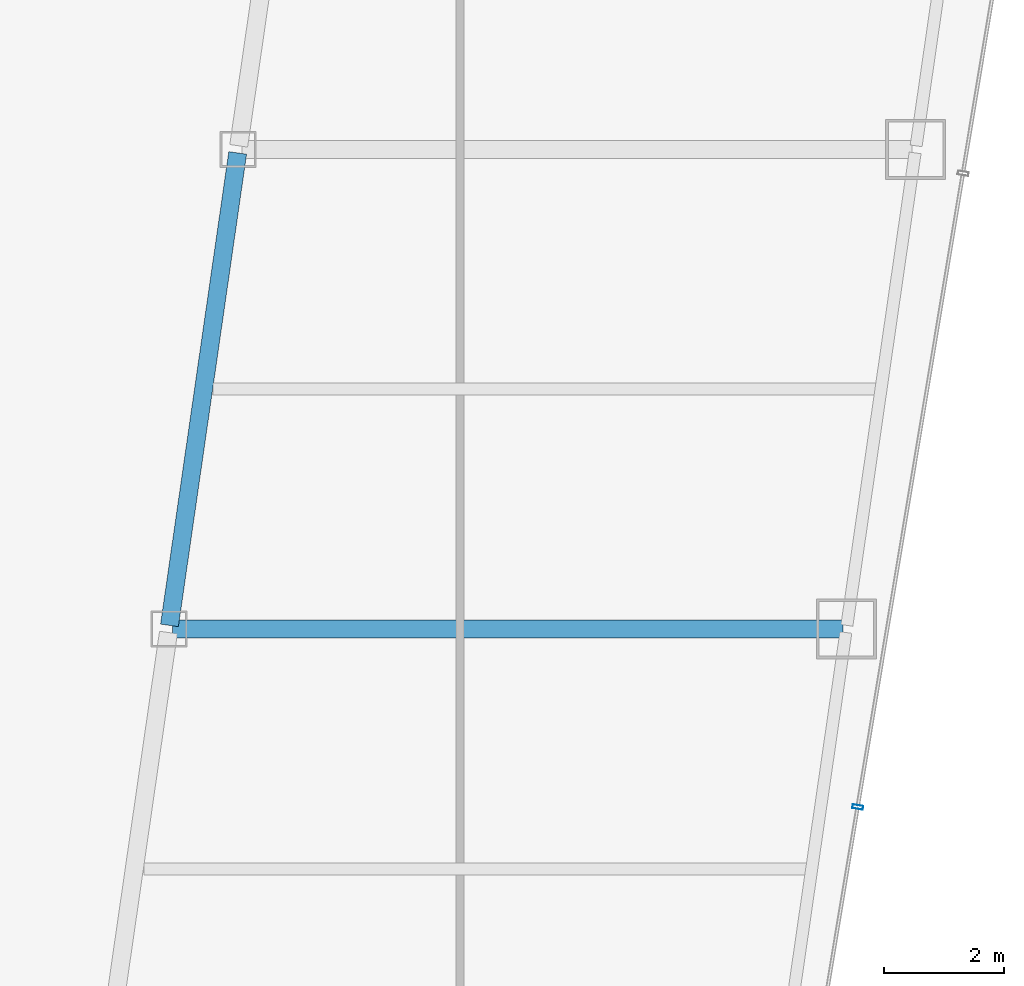
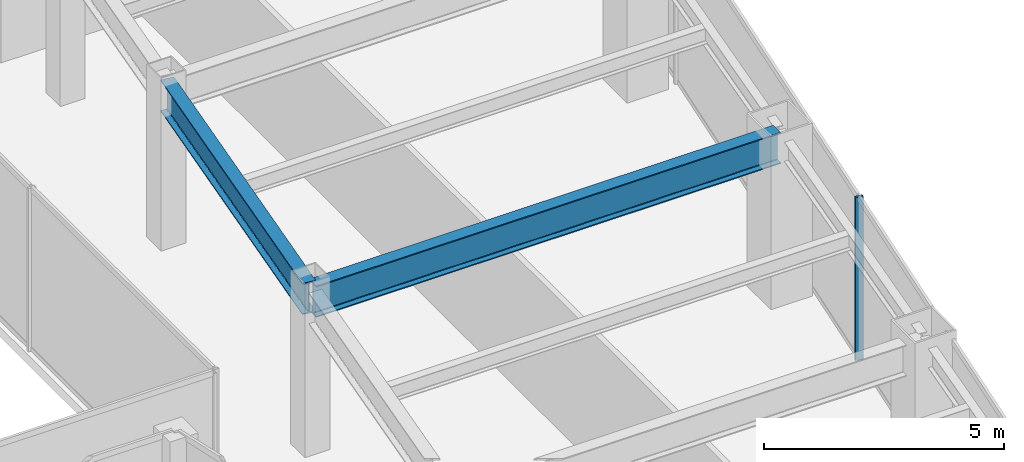
# One storey, part 17 of 37: 2 beams, 1 member, 1 element without a shape of its own.
"""IFC4 building model written with IfcOpenShell, lengths in metres."""

import ifcopenshell
import ifcopenshell.guid

model = None  # the IFC model being written
_history = None  # IfcOwnerHistory: only IFC2X3 demands one
_inside = {}  # id of a spatial element -> (the spatial element, [elements in it])
_under = {}  # id of a project, library or spatial element -> (it, [spatial elements below it])
_declared = {}  # id of a project -> (the project, [libraries it declares])
_typed = {}  # id of a type object -> (the type object, [elements of that type])
_made_of = {}  # id of a material, layer set ... -> (it, [elements and type objects made of it])


def new_model(schema):
    """Start an empty IFC model of exactly this schema.

    Asked for "IFC4X3", IfcOpenShell would pick the latest addendum, in which some entities
    have other attributes; the version numbers below select the first issue.
    IFC2X3 requires an IfcOwnerHistory on every rooted entity: one is made here for all.
    """
    global model, _history
    if schema == "IFC4X3":
        model = ifcopenshell.file(schema_version=(4, 3, 0, 0))
    else:
        model = ifcopenshell.file(schema=schema)
    _inside.clear()
    _under.clear()
    _declared.clear()
    _typed.clear()
    _made_of.clear()
    _history = None
    if model.schema == "IFC2X3":
        org = make("IfcOrganization", Name="unknown")
        user = make(
            "IfcPersonAndOrganization",
            ThePerson=make("IfcPerson", FamilyName="unknown"),
            TheOrganization=org,
        )
        app = make(
            "IfcApplication",
            ApplicationDeveloper=org,
            Version="unknown",
            ApplicationFullName="unknown",
            ApplicationIdentifier="unknown",
        )
        _history = make(
            "IfcOwnerHistory",
            OwningUser=user,
            OwningApplication=app,
            ChangeAction="ADDED",
            CreationDate=0,
        )
    return model


def make(cls, **values):
    """One entity of the class cls with the attributes given. An attribute that is None is left unset."""
    return model.create_entity(
        cls, **{name: value for name, value in values.items() if value is not None}
    )


def rooted(cls, **values):
    """An entity with a GlobalId (a new one), such as an element, a storey or a relation."""
    return make(cls, GlobalId=ifcopenshell.guid.new(), OwnerHistory=_history, **values)


def si_unit(unit_type, name, prefix=None):
    """IfcSIUnit, for example si_unit("LENGTHUNIT", "METRE", prefix="MILLI")."""
    return make("IfcSIUnit", UnitType=unit_type, Prefix=prefix, Name=name)


def assignment(units):
    """IfcUnitAssignment: the units of a project."""
    return None if units is None else make("IfcUnitAssignment", Units=units)


def point(xyz):
    """IfcCartesianPoint."""
    return None if xyz is None else make("IfcCartesianPoint", Coordinates=xyz)


def direction(xyz):
    """IfcDirection."""
    return None if xyz is None else make("IfcDirection", DirectionRatios=xyz)


def frame(location, z_axis=None, x_axis=None):
    """IfcAxis2Placement3D, a coordinate frame: its origin and axes. An axis left out is left unset."""
    return make(
        "IfcAxis2Placement3D",
        Location=point(location),
        Axis=direction(z_axis),
        RefDirection=direction(x_axis),
    )


def frame_2d(location, x_axis=None):
    """IfcAxis2Placement2D, a coordinate frame in the plane: its origin and x axis."""
    return make(
        "IfcAxis2Placement2D", Location=point(location), RefDirection=direction(x_axis)
    )


def origin():
    """The frame at (0, 0, 0) with its axes left unset."""
    return frame((0.0, 0.0, 0.0))


def origin_2d():
    """The frame at (0, 0) in the plane with its x axis left unset."""
    return frame_2d((0.0, 0.0))


def place(relative_to, where):
    """IfcLocalPlacement: puts the frame where relative to a parent placement (None: the world)."""
    return make(
        "IfcLocalPlacement", PlacementRelTo=relative_to, RelativePlacement=where
    )


def context(
    kind, dimensions, precision=None, world=None, true_north=None, identifier=None
):
    """IfcGeometricRepresentationContext, for example the 3D "Model" context."""
    return make(
        "IfcGeometricRepresentationContext",
        ContextIdentifier=identifier,
        ContextType=kind,
        CoordinateSpaceDimension=dimensions,
        Precision=precision,
        WorldCoordinateSystem=world,
        TrueNorth=true_north,
    )


def subcontext(parent, identifier, kind, view, scale=None):
    """IfcGeometricRepresentationSubContext, for example "Body" below "Model"."""
    return make(
        "IfcGeometricRepresentationSubContext",
        ContextIdentifier=identifier,
        ContextType=kind,
        ParentContext=parent,
        TargetScale=scale,
        TargetView=view,
    )


def project(units=None, contexts=None):
    """IfcProject with its units and contexts."""
    return rooted(
        "IfcProject",
        Name="project",
        RepresentationContexts=contexts,
        UnitsInContext=assignment(units),
    )


def spatial(cls, under=None, at=None, **own):
    """A site, building, storey or space (cls), placed at a placement, below another one or the project."""
    s = rooted(cls, ObjectPlacement=at, **own)
    if under is not None:
        _under.setdefault(under.id(), (under, []))[1].append(s)
    return s


def profile(cls, at=None, kind="AREA", **sizes):
    """A parametric profile (cls). Its sizes go by their IFC names, for example OverallWidth=200.0."""
    return make(cls, ProfileType=kind, Position=at, **sizes)


def hollow_rectangle(**sizes):
    """IfcRectangleHollowProfileDef."""
    return profile("IfcRectangleHollowProfileDef", **sizes)


def i_section(**sizes):
    """IfcIShapeProfileDef."""
    return profile("IfcIShapeProfileDef", **sizes)


def extrude(swept, where, along, depth):
    """IfcExtrudedAreaSolid: the profile swept, set in the frame where, extruded along a direction by depth."""
    return make(
        "IfcExtrudedAreaSolid",
        SweptArea=swept,
        Position=where,
        ExtrudedDirection=direction(along),
        Depth=depth,
    )


def shape(context_of_items, identifier, shape_type, items):
    """IfcShapeRepresentation: the items that make up one representation, for example the "Body"."""
    return make(
        "IfcShapeRepresentation",
        ContextOfItems=context_of_items,
        RepresentationIdentifier=identifier,
        RepresentationType=shape_type,
        Items=items,
    )


def material(Name=None, Category=None):
    """IfcMaterial."""
    return make("IfcMaterial", Name=Name, Category=Category)


def material_profile(
    of_material, cross_section, Name=None, Category=None, Priority=None
):
    """IfcMaterialProfile: a cross section and its material."""
    return make(
        "IfcMaterialProfile",
        Name=Name,
        Material=of_material,
        Profile=cross_section,
        Priority=Priority,
        Category=Category,
    )


def profile_set(profiles, Name=None, composite=None):
    """IfcMaterialProfileSet."""
    return make(
        "IfcMaterialProfileSet",
        Name=Name,
        MaterialProfiles=profiles,
        CompositeProfile=composite,
    )


def made_of(thing, what):
    """Note that an element or type object is made of a material, layer set ...; save() writes the relation."""
    if what is not None:
        _made_of.setdefault(what.id(), (what, []))[1].append(thing)
    return thing


def type_object(cls, material=None, **own):
    """A type object (cls), such as IfcWallType, which elements share."""
    return made_of(rooted(cls, **own), material)


def element(
    cls,
    number,
    at=None,
    inside=None,
    cuts=None,
    type_object=None,
    material=None,
    context=None,
    identifier="Body",
    shape_type=None,
    held_by="IfcProductDefinitionShape",
    body=None,
    shapes=None,
    **own,
):
    """One element of the class cls, such as IfcWall. Its Tag is "e" and its number.

    at: its placement. inside: the storey or other place that contains it. cuts: it is an
    opening in that element (IfcRelVoidsElement). A single representation is given by context,
    identifier, shape_type and body (its items); several are given by shapes. held_by: the class
    of the entity that holds the representations. save() writes the other relations.
    """
    e = rooted(cls, Tag="e%d" % number, ObjectPlacement=at, **own)
    if body is not None:
        shapes = [shape(context, identifier, shape_type, body)]
    if shapes is not None:
        e.Representation = make(held_by, Representations=shapes)
    if inside is not None:
        _inside.setdefault(inside.id(), (inside, []))[1].append(e)
    if cuts is not None:
        rooted(
            "IfcRelVoidsElement", RelatingBuildingElement=cuts, RelatedOpeningElement=e
        )
    if type_object is not None:
        _typed.setdefault(type_object.id(), (type_object, []))[1].append(e)
    return made_of(e, material)


def aggregate(whole, parts):
    """IfcRelAggregates: a whole, such as a stair, and the parts it consists of."""
    return rooted("IfcRelAggregates", RelatingObject=whole, RelatedObjects=parts)


def save(model, path):
    """Write the relations noted so far, then the file.

    IfcRelAggregates (storeys below a building ...), IfcRelContainedInSpatialStructure (elements
    in a storey), IfcRelDefinesByType, IfcRelAssociatesMaterial and IfcRelDeclares: one each for
    every whole, place, type object, material and project.
    """
    for whole, parts in _under.values():
        aggregate(whole, parts)
    for where, things in _inside.values():
        rooted(
            "IfcRelContainedInSpatialStructure",
            RelatedElements=things,
            RelatingStructure=where,
        )
    for kind, things in _typed.values():
        rooted("IfcRelDefinesByType", RelatedObjects=things, RelatingType=kind)
    for what, things in _made_of.values():
        rooted("IfcRelAssociatesMaterial", RelatedObjects=things, RelatingMaterial=what)
    for by, libraries in _declared.values():
        rooted("IfcRelDeclares", RelatingContext=by, RelatedDefinitions=libraries)
    model.write(path)


model = new_model("IFC4")

# Units and contexts
model_context = context("Model", 3, precision=1e-05, world=origin(), true_north=direction((0.0, 1.0)))
body_context = subcontext(model_context, "Body", "Model", "MODEL_VIEW")
ifc_project = project(units=[si_unit("LENGTHUNIT", "METRE"), si_unit("AREAUNIT", "SQUARE_METRE"), si_unit("VOLUMEUNIT", "CUBIC_METRE"), si_unit("PLANEANGLEUNIT", "RADIAN"), si_unit("MASSUNIT", "GRAM", prefix="KILO")], contexts=[model_context])

# Site, building, storey
site_placement = place(None, origin())
site = spatial("IfcSite", under=ifc_project, at=site_placement, CompositionType="ELEMENT")
building_placement = place(site_placement, origin())
building = spatial("IfcBuilding", under=site, at=building_placement, Name="Saevonmaru Cultural Tower", CompositionType="ELEMENT")
storey_placement = place(building_placement, frame((0.0, 0.0, 110.39990234375)))
storey = spatial("IfcBuildingStorey", under=building, at=storey_placement, Name="L23", CompositionType="ELEMENT", Elevation=110.39990234375)

# Beams
ifc_material_1 = material(Name="Steel SM420", Category="steel")
ifc_material_profile_1 = material_profile(ifc_material_1, i_section(OverallWidth=0.300048828125, OverallDepth=0.800048828125, WebThickness=0.013916015625, FlangeThickness=0.02587890625, FilletRadius=0.028076171875, at=origin_2d()), Name="H-800x300x14x26")
ifc_profile_set_1 = profile_set([ifc_material_profile_1], Name="Steel SM420")
beam_type = type_object("IfcBeamType", Name="BM-G-H800", PredefinedType="BEAM", material=ifc_profile_set_1)
beam_1_placement = place(storey_placement, frame((39.236572265625, 24.059326171875, 3.75), z_axis=(0.142902032203, 0.989736838353, 0.0), x_axis=(-0.989736838353, 0.142902032203, 0.0)))
element("IfcBeam", 1, at=beam_1_placement, inside=storey, type_object=beam_type, Name="L23 East Atrium Girder 3", PredefinedType="BEAM", context=body_context, shape_type="SweptSolid", body=[
    extrude(i_section(OverallWidth=0.300048828125, OverallDepth=0.800048828125, WebThickness=0.013916015625, FlangeThickness=0.02587890625, FilletRadius=0.028076171875, at=origin_2d()), origin(), (0.0, 0.0, 1.0), 7.963134765625),
])
beam_2_placement = place(storey_placement, frame((39.2880859375, 24.0, 3.75), z_axis=(1.0, 0.0, 0.0), x_axis=(0.0, 1.0, 0.0)))
element("IfcBeam", 2, at=beam_2_placement, inside=storey, type_object=beam_type, Name="L23 East Wing Transverse Girder 3", PredefinedType="BEAM", context=body_context, shape_type="SweptSolid", body=[
    extrude(i_section(OverallWidth=0.300048828125, OverallDepth=0.800048828125, WebThickness=0.013916015625, FlangeThickness=0.02587890625, FilletRadius=0.028076171875, at=origin_2d()), origin(), (0.0, 0.0, 1.0), 11.179931640625),
])

# Curtain wall, member
ifc_material_2 = material(Name="Satin Bronze Anodised Aluminium", Category="aluminium")
curtain_wall_type = type_object("IfcCurtainWallType", Name="CW-TYP-A", PredefinedType="NOTDEFINED", material=ifc_material_2)
curtain_wall_placement = place(storey_placement, origin())
curtain_wall = element("IfcCurtainWall", 3, at=curtain_wall_placement, inside=storey, type_object=curtain_wall_type, Name="L23 Unitised Curtain Wall E8", PredefinedType="NOTDEFINED")
ifc_material_profile_2 = material_profile(ifc_material_2, hollow_rectangle(XDim=0.06494140625, YDim=0.179931640625, WallThickness=0.00390625, at=origin_2d()), Name="ALU-MULL-180x65x4")
ifc_profile_set_2 = profile_set([ifc_material_profile_2], Name="Satin Bronze Anodised Aluminium")
member_type = type_object("IfcMemberType", Name="ML-CW-180x65", PredefinedType="MULLION", material=ifc_profile_set_2)
member_placement = place(storey_placement, frame((50.71826171875, 21.029541015625, 0.0), z_axis=(0.0, 0.0, 1.0), x_axis=(0.163998702345, 0.986460554523, 0.0)))
member = element("IfcMember", 4, at=member_placement, type_object=member_type, Name="CW-TW-L23-E8 mullion 2", PredefinedType="MULLION", context=body_context, shape_type="SweptSolid", body=[
    extrude(hollow_rectangle(XDim=0.06494140625, YDim=0.179931640625, WallThickness=0.00390625, at=origin_2d()), origin(), (0.0, 0.0, 1.0), 4.150146484375),
])
aggregate(curtain_wall, [member])

save(model, "model.ifc")
